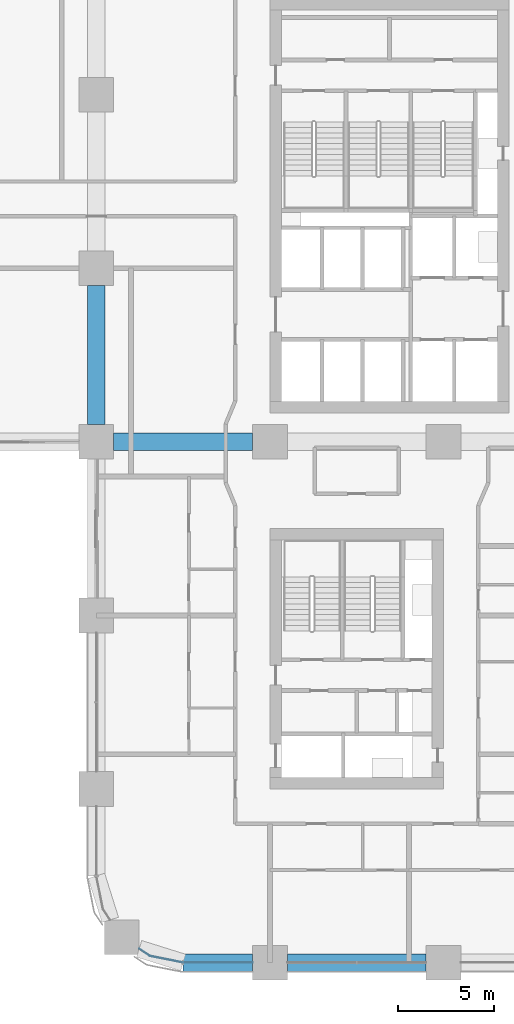
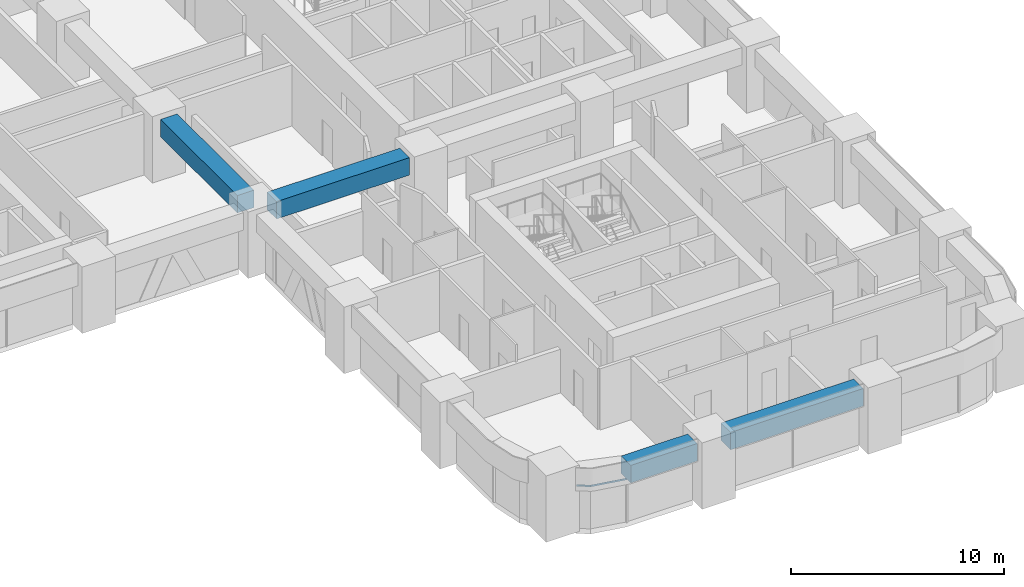
# One storey, part 4 of 24: 4 beams, 1 member, 1 element without a shape of its own.
"""IFC4 building model written with IfcOpenShell, lengths in metres."""

from ifc_helpers import new_model, si_unit, direction, frame, origin, origin_2d, place, context, subcontext, project, spatial, polyline, rectangle, outline, extrude, material, material_profile, profile_set, type_object, element, aggregate, save


model = new_model("IFC4")

# Units and contexts
model_context = context("Model", 3, precision=1e-05, world=origin(), true_north=direction((0.0, 1.0)))
body_context = subcontext(model_context, "Body", "Model", "MODEL_VIEW")
ifc_project = project(units=[si_unit("LENGTHUNIT", "METRE"), si_unit("AREAUNIT", "SQUARE_METRE"), si_unit("VOLUMEUNIT", "CUBIC_METRE"), si_unit("PLANEANGLEUNIT", "RADIAN"), si_unit("MASSUNIT", "GRAM", prefix="KILO")], contexts=[model_context])

# Site, building, storey
site_placement = place(None, origin())
site = spatial("IfcSite", under=ifc_project, at=site_placement, CompositionType="ELEMENT")
building_placement = place(site_placement, origin())
building = spatial("IfcBuilding", under=site, at=building_placement, Name="Tessera Arch", CompositionType="ELEMENT")
storey_placement = place(building_placement, frame((0.0, 0.0, 112.0)))
storey = spatial("IfcBuildingStorey", under=building, at=storey_placement, Name="L26", CompositionType="ELEMENT", Elevation=112.0)

# Curtain wall, member
ifc_material_1 = material(Name="CW2 curtain wall")
curtain_wall_type = type_object("IfcCurtainWallType", Name="CW2 curtain wall", PredefinedType="NOTDEFINED", material=ifc_material_1)
curtain_wall_placement = place(storey_placement, origin())
curtain_wall = element("IfcCurtainWall", 1, at=curtain_wall_placement, inside=storey, type_object=curtain_wall_type, Name="CW2 curtain wall S0.27/0 L26", PredefinedType="NOTDEFINED")
ifc_material_2 = material(Name="Anodised aluminium pale metal", Category="aluminium")
ifc_material_profile_1 = material_profile(ifc_material_2, rectangle(XDim=0.199951171875, YDim=0.10009765625, at=origin_2d()), Name="AL 200x100")
ifc_profile_set_1 = profile_set([ifc_material_profile_1], Name="Anodised aluminium pale metal")
member_type = type_object("IfcMemberType", Name="CW2 transom", PredefinedType="USERDEFINED", material=ifc_profile_set_1)
member_placement = place(storey_placement, frame((0.0, 0.0, 2.39990234375)))
member = element("IfcMember", 2, at=member_placement, type_object=member_type, Name="CW2 transom S0.27/0 1", ObjectType="TRANSOM", PredefinedType="USERDEFINED", context=body_context, shape_type="SweptSolid", body=[
    extrude(outline(polyline([(29.78173828125, 0.351806640625), (29.2236328125, 0.72509765625), (29.21240234375, 0.70849609375), (29.77392578125, 0.3330078125), (31.4990234375, -0.010009765625), (35.10009765625, -0.010009765625), (35.10009765625, 0.010009765625), (31.5009765625, 0.010009765625), (29.78173828125, 0.351806640625)])), origin(), (0.0, 0.0, 1.0), 0.10009765625),
])
aggregate(curtain_wall, [member])

# Beams
ifc_material_3 = material(Name="Concrete C80/95", Category="concrete")
ifc_material_profile_2 = material_profile(ifc_material_3, rectangle(XDim=0.89990234375, YDim=1.0, at=origin_2d()), Name="RC spandrel beam 900 x 1000 Concrete C80/95")
ifc_profile_set_2 = profile_set([ifc_material_profile_2], Name="Concrete C80/95")
beam_type = type_object("IfcBeamType", Name="RC spandrel beam 900 x 1000 Concrete C80/95", PredefinedType="BEAM", material=ifc_profile_set_2)
beam_placement = place(storey_placement, frame((31.5, 0.0, 3.0), z_axis=(1.0, 0.0, 0.0), x_axis=(0.0, 1.0, 0.0)))
element("IfcBeam", 3, at=beam_placement, inside=storey, type_object=beam_type, Name="Spandrel beam L26 S0.27/0.2", PredefinedType="BEAM", context=body_context, shape_type="SweptSolid", body=[
    extrude(rectangle(XDim=0.89990234375, YDim=1.0, at=origin_2d()), origin(), (0.0, 0.0, 1.0), 3.60009765625),
])
for number, where, z_axis, x_axis, name in (
    (4, (36.89990234375, 0.0, 3.0), (1.0, 0.0, 0.0), (0.0, 1.0, 0.0), "Spandrel beam L26 S0.27/1"),
    (5, (27.0, 27.89990234375, 3.0), (0.0, 1.0, 0.0), (-1.0, 0.0, 0.0), "Interface beam L26 I0C4D-C4E"),
    (6, (27.89990234375, 27.0, 3.0), (1.0, 0.0, 0.0), (0.0, 1.0, 0.0), "Interface beam L26 I1C4D-C5D"),
):
    element("IfcBeam", number, at=place(storey_placement, frame(where, z_axis=z_axis, x_axis=x_axis)), inside=storey, type_object=beam_type, Name=name, PredefinedType="BEAM", context=body_context, shape_type="SweptSolid", body=[
        extrude(rectangle(XDim=0.89990234375, YDim=1.0, at=origin_2d()), origin(), (0.0, 0.0, 1.0), 7.2001953125),
    ])

save(model, "model.ifc")
